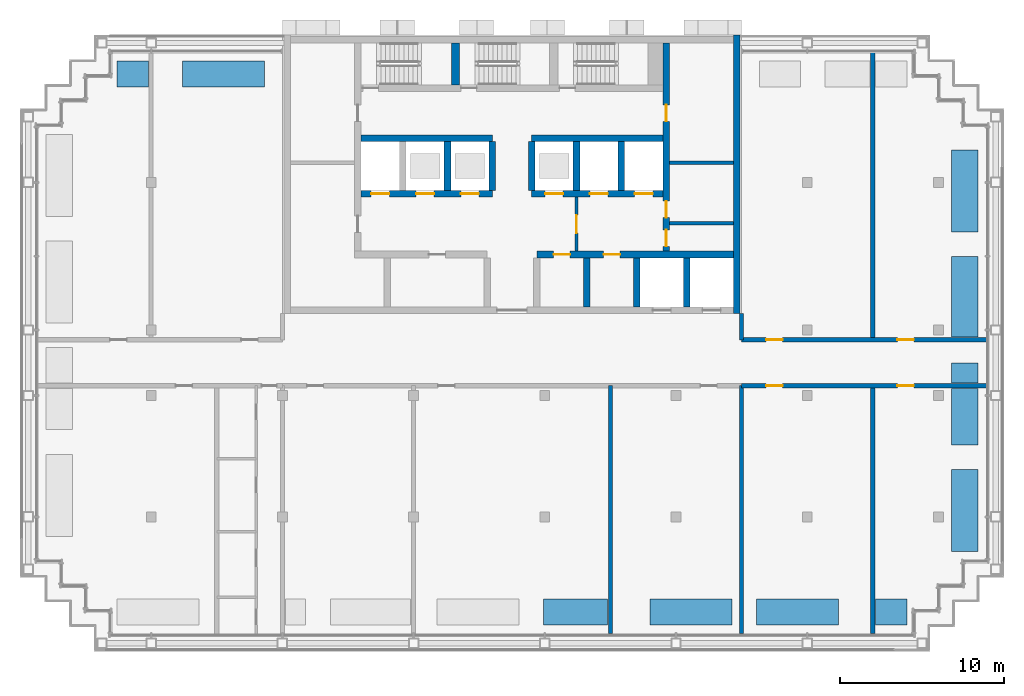
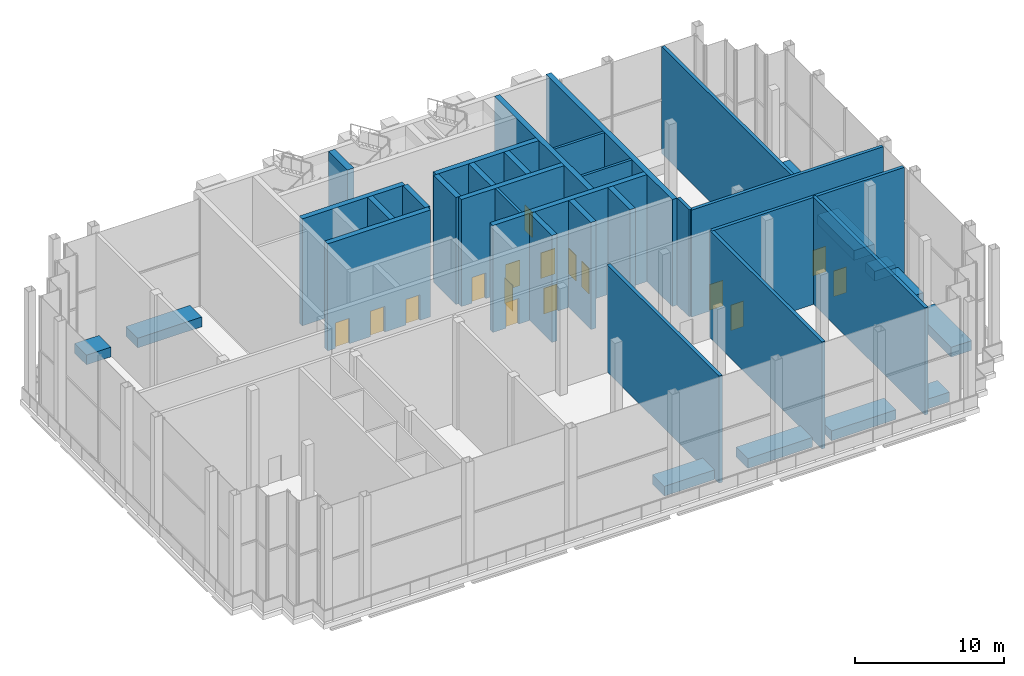
# One storey, part 9 of 15: 37 walls, 16 doors, 16 openings.
"""IFC4 building model written with IfcOpenShell, lengths in metres."""

from ifc_helpers import new_model, si_unit, direction, frame, frame_2d, origin, place, context, subcontext, project, spatial, rectangle, extrude, material, layer, layer_set, type_object, element, fill, save


model = new_model("IFC4")

# Units and contexts
model_context = context("Model", 3, precision=1e-05, world=origin(), true_north=direction((0.0, 1.0)))
body_context = subcontext(model_context, "Body", "Model", "MODEL_VIEW")
ifc_project = project(units=[si_unit("LENGTHUNIT", "METRE"), si_unit("AREAUNIT", "SQUARE_METRE"), si_unit("VOLUMEUNIT", "CUBIC_METRE"), si_unit("PLANEANGLEUNIT", "RADIAN"), si_unit("MASSUNIT", "GRAM", prefix="KILO")], contexts=[model_context])

# Site, building, storey
site_placement = place(None, origin())
site = spatial("IfcSite", under=ifc_project, at=site_placement, CompositionType="ELEMENT")
building_placement = place(site_placement, origin())
building = spatial("IfcBuilding", under=site, at=building_placement, Name="Vidyagriha Tower", CompositionType="ELEMENT")
storey_placement = place(building_placement, frame((0.0, 0.0, 239.60009765625)))
storey = spatial("IfcBuildingStorey", under=building, at=storey_placement, Name="L63", CompositionType="ELEMENT", Elevation=239.60009765625)

# Walls
ifc_material_1 = material(Name="Precast concrete C40/50 with brick facing", Category="concrete")
ifc_layer_1 = layer(ifc_material_1, 1.60009765625)
ifc_layer_set_1 = layer_set([ifc_layer_1], Name="Precast concrete C40/50 with brick facing")
wall_type_1 = type_object("IfcWallType", Name="Brick planter box 1600", PredefinedType="STANDARD", material=ifc_layer_set_1)
wall_1_placement = place(storey_placement, frame((-15.10009765625, 17.60009765625, 0.0), z_axis=(0.0, 0.0, 1.0), x_axis=(-1.0, 0.0, 0.0)))
element("IfcWall", 1, at=wall_1_placement, inside=storey, type_object=wall_type_1, Name="PLANTER L63 3", PredefinedType="STANDARD", context=body_context, shape_type="SweptSolid", body=[
    extrude(rectangle(XDim=5.0, YDim=1.60009765625, at=frame_2d((2.5, 0.0))), origin(), (0.0, 0.0, 1.0), 0.7998046875),
])
for number, where, name in (
    (2, (8.419921875, -15.199951171875, 0.0), "PLANTER L63 14"),
    (3, (14.919921875, -15.199951171875, 0.0), "PLANTER L63 15"),
):
    element("IfcWall", number, at=place(storey_placement, frame(where)), inside=storey, type_object=wall_type_1, Name=name, PredefinedType="STANDARD", context=body_context, shape_type="SweptSolid", body=[
        extrude(rectangle(XDim=5.0, YDim=1.60009765625, at=frame_2d((2.5, 0.0))), origin(), (0.0, 0.0, 1.0), 0.7998046875),
    ])
for number, where, z_axis, x_axis, name in (
    (4, (27.60009765625, -11.52001953125, 0.0), (0.0, 0.0, 1.0), (0.0, 1.0, 0.0), "PLANTER L63 17"),
    (5, (27.60009765625, 7.97998046875, 0.0), (0.0, 0.0, 1.0), (0.0, 1.0, 0.0), "PLANTER L63 20"),
):
    element("IfcWall", number, at=place(storey_placement, frame(where, z_axis=z_axis, x_axis=x_axis)), inside=storey, type_object=wall_type_1, Name=name, PredefinedType="STANDARD", context=body_context, shape_type="SweptSolid", body=[
        extrude(rectangle(XDim=5.0, YDim=1.60009765625, at=frame_2d((2.5, 0.0))), origin(), (0.0, 0.0, 1.0), 0.7998046875),
    ])
wall_2_placement = place(storey_placement, frame((-22.175048828125, 17.60009765625, 0.0), z_axis=(0.0, 0.0, 1.0), x_axis=(-1.0, 0.0, 0.0)))
element("IfcWall", 6, at=wall_2_placement, inside=storey, type_object=wall_type_1, Name="PLANTER L63 4", PredefinedType="STANDARD", context=body_context, shape_type="SweptSolid", body=[
    extrude(rectangle(XDim=1.905029296875, YDim=1.60009765625, at=frame_2d((0.95263671875, 0.0))), origin(), (0.0, 0.0, 1.0), 0.7998046875),
])
wall_3_placement = place(storey_placement, frame((1.919921875, -15.199951171875, 0.0)))
element("IfcWall", 7, at=wall_3_placement, inside=storey, type_object=wall_type_1, Name="PLANTER L63 13", PredefinedType="STANDARD", context=body_context, shape_type="SweptSolid", body=[
    extrude(rectangle(XDim=3.905029296875, YDim=1.60009765625, at=frame_2d((1.95263671875, 0.0))), origin(), (0.0, 0.0, 1.0), 0.7998046875),
])
wall_4_placement = place(storey_placement, frame((22.175048828125, -15.199951171875, 0.0)))
element("IfcWall", 8, at=wall_4_placement, inside=storey, type_object=wall_type_1, Name="PLANTER L63 16", PredefinedType="STANDARD", context=body_context, shape_type="SweptSolid", body=[
    extrude(rectangle(XDim=1.905029296875, YDim=1.60009765625, at=frame_2d((0.95263671875, 0.0))), origin(), (0.0, 0.0, 1.0), 0.7998046875),
])
wall_5_placement = place(storey_placement, frame((27.60009765625, -5.02001953125, 0.0), z_axis=(0.0, 0.0, 1.0), x_axis=(0.0, 1.0, 0.0)))
element("IfcWall", 9, at=wall_5_placement, inside=storey, type_object=wall_type_1, Name="PLANTER L63 18", PredefinedType="STANDARD", context=body_context, shape_type="SweptSolid", body=[
    extrude(rectangle(XDim=3.445068359375, YDim=1.60009765625, at=frame_2d((1.72265625, 0.0))), origin(), (0.0, 0.0, 1.0), 0.7998046875),
])
wall_6_placement = place(storey_placement, frame((27.60009765625, -1.22509765625, 0.0), z_axis=(0.0, 0.0, 1.0), x_axis=(0.0, 1.0, 0.0)))
element("IfcWall", 10, at=wall_6_placement, inside=storey, type_object=wall_type_1, Name="PLANTER L63 18", PredefinedType="STANDARD", context=body_context, shape_type="SweptSolid", body=[
    extrude(rectangle(XDim=1.205078125, YDim=1.60009765625, at=frame_2d((0.6025390625, 0.0))), origin(), (0.0, 0.0, 1.0), 0.7998046875),
])
wall_7_placement = place(storey_placement, frame((27.60009765625, 1.574951171875, 0.0), z_axis=(0.0, 0.0, 1.0), x_axis=(0.0, 1.0, 0.0)))
element("IfcWall", 11, at=wall_7_placement, inside=storey, type_object=wall_type_1, Name="PLANTER L63 19", PredefinedType="STANDARD", context=body_context, shape_type="SweptSolid", body=[
    extrude(rectangle(XDim=4.905029296875, YDim=1.60009765625, at=frame_2d((2.45263671875, 0.0))), origin(), (0.0, 0.0, 1.0), 0.7998046875),
])
ifc_material_2 = material(Name="Concrete C60/75", Category="concrete")
ifc_layer_2 = layer(ifc_material_2, 0.39990234375)
ifc_layer_set_2 = layer_set([ifc_layer_2], Name="Concrete C60/75")
wall_type_2 = type_object("IfcWallType", Name="Core shear wall 400 mm", PredefinedType="SHEAR", material=ifc_layer_set_2)
wall_8_placement = place(storey_placement, frame((13.699951171875, 3.0, 0.0), z_axis=(0.0, 0.0, 1.0), x_axis=(0.0, 1.0, 0.0)))
element("IfcWall", 12, at=wall_8_placement, inside=storey, type_object=wall_type_2, Name="Core east wall", PredefinedType="SHEAR", context=body_context, shape_type="SweptSolid", body=[
    extrude(rectangle(XDim=17.0, YDim=0.39990234375, at=frame_2d((8.5, 0.0))), origin(), (0.0, 0.0, 1.0), 8.7998046875),
])

# Wall, openings, doors
wall_9_placement = place(storey_placement, frame((9.39990234375, 6.800048828125, 0.0), z_axis=(0.0, 0.0, 1.0), x_axis=(0.0, 1.0, 0.0)))
wall_9 = element("IfcWall", 13, at=wall_9_placement, inside=storey, type_object=wall_type_2, Name="Core east spine wall", PredefinedType="SHEAR", context=body_context, shape_type="SweptSolid", body=[
    extrude(rectangle(XDim=12.699951171875, YDim=0.39990234375, at=frame_2d((6.35009765625, 0.0))), origin(), (0.0, 0.0, 1.0), 8.7998046875),
])
opening_1_placement = place(wall_9_placement, frame((0.300048828125, 0.0, 0.0)))
opening_1 = element("IfcOpeningElement", 14, at=opening_1_placement, cuts=wall_9, Name="Opening D63-11", PredefinedType="OPENING", context=body_context, shape_type="SweptSolid", body=[
    extrude(rectangle(XDim=1.0, YDim=2.10009765625, at=frame_2d((0.5, 1.050048828125))), frame((0.0, 0.2099609375, 0.0), z_axis=(0.0, -1.0, 0.0), x_axis=(1.0, 0.0, 0.0)), (0.0, 0.0, 1.0), 0.419921875),
])
opening_2_placement = place(wall_9_placement, frame((2.050048828125, 0.0, 0.0)))
opening_2 = element("IfcOpeningElement", 15, at=opening_2_placement, cuts=wall_9, Name="Opening D63-12", PredefinedType="OPENING", context=body_context, shape_type="SweptSolid", body=[
    extrude(rectangle(XDim=1.0, YDim=2.10009765625, at=frame_2d((0.5, 1.050048828125))), frame((0.0, 0.2099609375, 0.0), z_axis=(0.0, -1.0, 0.0), x_axis=(1.0, 0.0, 0.0)), (0.0, 0.0, 1.0), 0.419921875),
])
opening_3_placement = place(wall_9_placement, frame((7.925048828125, 0.0, 0.0)))
opening_3 = element("IfcOpeningElement", 16, at=opening_3_placement, cuts=wall_9, Name="Opening D63-13", PredefinedType="OPENING", context=body_context, shape_type="SweptSolid", body=[
    extrude(rectangle(XDim=1.0, YDim=2.10009765625, at=frame_2d((0.5, 1.050048828125))), frame((0.0, 0.2099609375, 0.0), z_axis=(0.0, -1.0, 0.0), x_axis=(1.0, 0.0, 0.0)), (0.0, 0.0, 1.0), 0.419921875),
])
ifc_material_3 = material(Name="Hollow metal door leaf")
door_type_1 = type_object("IfcDoorType", Name="Core room door 1000 x 2100 mm EI 60", OperationType="NOTDEFINED", PredefinedType="DOOR", material=ifc_material_3)
door_1_placement = place(opening_1_placement, origin())
door_1 = element("IfcDoor", 17, at=door_1_placement, inside=storey, type_object=door_type_1, Name="Door Pressurisation Plant Room 63.E1", OperationType="SINGLE_SWING_RIGHT", OverallHeight=2.10009765625, OverallWidth=1.0, PredefinedType="DOOR", context=body_context, shape_type="SweptSolid", body=[
    extrude(rectangle(XDim=1.0, YDim=2.10009765625, at=frame_2d((0.5, 1.050048828125))), frame((0.0, 0.02490234375, 0.0), z_axis=(0.0, -1.0, 0.0), x_axis=(1.0, 0.0, 0.0)), (0.0, 0.0, 1.0), 0.050048828125),
])
fill(opening_1, door_1)
door_2_placement = place(opening_2_placement, origin())
door_2 = element("IfcDoor", 18, at=door_2_placement, inside=storey, type_object=door_type_1, Name="Door Switchgear Room 63.E2", OperationType="SINGLE_SWING_LEFT", OverallHeight=2.10009765625, OverallWidth=1.0, PredefinedType="DOOR", context=body_context, shape_type="SweptSolid", body=[
    extrude(rectangle(XDim=1.0, YDim=2.10009765625, at=frame_2d((0.5, 1.050048828125))), frame((0.0, 0.02490234375, 0.0), z_axis=(0.0, -1.0, 0.0), x_axis=(1.0, 0.0, 0.0)), (0.0, 0.0, 1.0), 0.050048828125),
])
fill(opening_2, door_2)
door_3_placement = place(opening_3_placement, origin())
door_3 = element("IfcDoor", 19, at=door_3_placement, inside=storey, type_object=door_type_1, Name="Door Communications Room 63.E3", OperationType="SINGLE_SWING_LEFT", OverallHeight=2.10009765625, OverallWidth=1.0, PredefinedType="DOOR", context=body_context, shape_type="SweptSolid", body=[
    extrude(rectangle(XDim=1.0, YDim=2.10009765625, at=frame_2d((0.5, 1.050048828125))), frame((0.0, 0.02490234375, 0.0), z_axis=(0.0, -1.0, 0.0), x_axis=(1.0, 0.0, 0.0)), (0.0, 0.0, 1.0), 0.050048828125),
])
fill(opening_3, door_3)

wall_10_placement = place(storey_placement, frame((1.522216796875, 6.60009765625, 0.0)))
wall_10 = element("IfcWall", 20, at=wall_10_placement, inside=storey, type_object=wall_type_2, Name="Core lobby south wall east", PredefinedType="SHEAR", context=body_context, shape_type="SweptSolid", body=[
    extrude(rectangle(XDim=11.977783203125, YDim=0.39990234375, at=frame_2d((5.98876953125, 0.0))), origin(), (0.0, 0.0, 1.0), 8.7998046875),
])
opening_4_placement = place(wall_10_placement, frame((1.022216796875, 0.0, 0.0)))
opening_4 = element("IfcOpeningElement", 21, at=opening_4_placement, cuts=wall_10, Name="Opening D63-03", PredefinedType="OPENING", context=body_context, shape_type="SweptSolid", body=[
    extrude(rectangle(XDim=1.0, YDim=2.10009765625, at=frame_2d((0.5, 1.050048828125))), frame((0.0, 0.2099609375, 0.0), z_axis=(0.0, -1.0, 0.0), x_axis=(1.0, 0.0, 0.0)), (0.0, 0.0, 1.0), 0.419921875),
])
opening_5_placement = place(wall_10_placement, frame((4.066650390625, 0.0, 0.0)))
opening_5 = element("IfcOpeningElement", 22, at=opening_5_placement, cuts=wall_10, Name="Opening D63-04", PredefinedType="OPENING", context=body_context, shape_type="SweptSolid", body=[
    extrude(rectangle(XDim=1.0, YDim=2.10009765625, at=frame_2d((0.5, 1.050048828125))), frame((0.0, 0.2099609375, 0.0), z_axis=(0.0, -1.0, 0.0), x_axis=(1.0, 0.0, 0.0)), (0.0, 0.0, 1.0), 0.419921875),
])
door_4_placement = place(opening_4_placement, origin())
door_4 = element("IfcDoor", 23, at=door_4_placement, inside=storey, type_object=door_type_1, Name="Door Refuse Room 63.02", OperationType="SINGLE_SWING_RIGHT", OverallHeight=2.10009765625, OverallWidth=1.0, PredefinedType="DOOR", context=body_context, shape_type="SweptSolid", body=[
    extrude(rectangle(XDim=1.0, YDim=2.10009765625, at=frame_2d((0.5, 1.050048828125))), frame((0.0, 0.02490234375, 0.0), z_axis=(0.0, -1.0, 0.0), x_axis=(1.0, 0.0, 0.0)), (0.0, 0.0, 1.0), 0.050048828125),
])
fill(opening_4, door_4)
door_5_placement = place(opening_5_placement, origin())
door_5 = element("IfcDoor", 24, at=door_5_placement, inside=storey, type_object=door_type_1, Name="Door Pressurisation Plant Room 63.03", OperationType="SINGLE_SWING_RIGHT", OverallHeight=2.10009765625, OverallWidth=1.0, PredefinedType="DOOR", context=body_context, shape_type="SweptSolid", body=[
    extrude(rectangle(XDim=1.0, YDim=2.10009765625, at=frame_2d((0.5, 1.050048828125))), frame((0.0, 0.02490234375, 0.0), z_axis=(0.0, -1.0, 0.0), x_axis=(1.0, 0.0, 0.0)), (0.0, 0.0, 1.0), 0.050048828125),
])
fill(opening_5, door_5)

# Walls
for number, where, z_axis, x_axis, name in (
    (25, (4.566650390625, 3.39990234375, 0.0), (0.0, 0.0, 1.0), (0.0, 1.0, 0.0), "Core bay wall S6"),
    (26, (7.611083984375, 3.39990234375, 0.0), (0.0, 0.0, 1.0), (0.0, 1.0, 0.0), "Core bay wall S7"),
    (27, (10.655517578125, 3.39990234375, 0.0), (0.0, 0.0, 1.0), (0.0, 1.0, 0.0), "Core bay wall S8"),
):
    element("IfcWall", number, at=place(storey_placement, frame(where, z_axis=z_axis, x_axis=x_axis)), inside=storey, type_object=wall_type_2, Name=name, PredefinedType="SHEAR", context=body_context, shape_type="SweptSolid", body=[
        extrude(rectangle(XDim=3.0, YDim=0.39990234375, at=frame_2d((1.5, 0.0))), origin(), (0.0, 0.0, 1.0), 8.7998046875),
    ])

# Wall, openings, doors
wall_11_placement = place(storey_placement, frame((-9.199951171875, 10.300048828125, 0.0)))
wall_11 = element("IfcWall", 28, at=wall_11_placement, inside=storey, type_object=wall_type_2, Name="Core row N front wall", PredefinedType="SHEAR", context=body_context, shape_type="SweptSolid", body=[
    extrude(rectangle(XDim=8.0, YDim=0.39990234375, at=frame_2d((4.0, 0.0))), origin(), (0.0, 0.0, 1.0), 8.7998046875),
])
opening_6_placement = place(wall_11_placement, frame((0.61669921875, 0.0, 0.0)))
opening_6 = element("IfcOpeningElement", 29, at=opening_6_placement, cuts=wall_11, Name="Opening LD63-03", PredefinedType="OPENING", context=body_context, shape_type="SweptSolid", body=[
    extrude(rectangle(XDim=1.10009765625, YDim=2.10009765625, at=frame_2d((0.550048828125, 1.050048828125))), frame((0.0, 0.2099609375, 0.0), z_axis=(0.0, -1.0, 0.0), x_axis=(1.0, 0.0, 0.0)), (0.0, 0.0, 1.0), 0.419921875),
])
opening_7_placement = place(wall_11_placement, frame((3.35009765625, 0.0, 0.0)))
opening_7 = element("IfcOpeningElement", 30, at=opening_7_placement, cuts=wall_11, Name="Opening LD63-04", PredefinedType="OPENING", context=body_context, shape_type="SweptSolid", body=[
    extrude(rectangle(XDim=1.10009765625, YDim=2.10009765625, at=frame_2d((0.550048828125, 1.050048828125))), frame((0.0, 0.2099609375, 0.0), z_axis=(0.0, -1.0, 0.0), x_axis=(1.0, 0.0, 0.0)), (0.0, 0.0, 1.0), 0.419921875),
])
opening_8_placement = place(wall_11_placement, frame((6.083251953125, 0.0, 0.0)))
opening_8 = element("IfcOpeningElement", 31, at=opening_8_placement, cuts=wall_11, Name="Opening LD63-05", PredefinedType="OPENING", context=body_context, shape_type="SweptSolid", body=[
    extrude(rectangle(XDim=1.10009765625, YDim=2.10009765625, at=frame_2d((0.550048828125, 1.050048828125))), frame((0.0, 0.2099609375, 0.0), z_axis=(0.0, -1.0, 0.0), x_axis=(1.0, 0.0, 0.0)), (0.0, 0.0, 1.0), 0.419921875),
])
ifc_material_4 = material(Name="Stainless steel sliding door panel", Category="steel")
door_type_2 = type_object("IfcDoorType", Name="Lift landing door 1100 x 2100 mm EI 90", OperationType="NOTDEFINED", PredefinedType="DOOR", material=ifc_material_4)
door_6_placement = place(opening_6_placement, origin())
door_6 = element("IfcDoor", 32, at=door_6_placement, inside=storey, type_object=door_type_2, Name="Landing door MR3 L63", OperationType="SLIDING_TO_LEFT", OverallHeight=2.10009765625, OverallWidth=1.10009765625, PredefinedType="DOOR", context=body_context, shape_type="SweptSolid", body=[
    extrude(rectangle(XDim=1.10009765625, YDim=2.10009765625, at=frame_2d((0.550048828125, 1.050048828125))), frame((0.0, 0.02490234375, 0.0), z_axis=(0.0, -1.0, 0.0), x_axis=(1.0, 0.0, 0.0)), (0.0, 0.0, 1.0), 0.050048828125),
])
fill(opening_6, door_6)
door_7_placement = place(opening_7_placement, origin())
door_7 = element("IfcDoor", 33, at=door_7_placement, inside=storey, type_object=door_type_2, Name="Landing door HR1 L63", OperationType="SLIDING_TO_LEFT", OverallHeight=2.10009765625, OverallWidth=1.10009765625, PredefinedType="DOOR", context=body_context, shape_type="SweptSolid", body=[
    extrude(rectangle(XDim=1.10009765625, YDim=2.10009765625, at=frame_2d((0.550048828125, 1.050048828125))), frame((0.0, 0.02490234375, 0.0), z_axis=(0.0, -1.0, 0.0), x_axis=(1.0, 0.0, 0.0)), (0.0, 0.0, 1.0), 0.050048828125),
])
fill(opening_7, door_7)
door_8_placement = place(opening_8_placement, origin())
door_8 = element("IfcDoor", 34, at=door_8_placement, inside=storey, type_object=door_type_2, Name="Landing door HR2 L63", OperationType="SLIDING_TO_LEFT", OverallHeight=2.10009765625, OverallWidth=1.10009765625, PredefinedType="DOOR", context=body_context, shape_type="SweptSolid", body=[
    extrude(rectangle(XDim=1.10009765625, YDim=2.10009765625, at=frame_2d((0.550048828125, 1.050048828125))), frame((0.0, 0.02490234375, 0.0), z_axis=(0.0, -1.0, 0.0), x_axis=(1.0, 0.0, 0.0)), (0.0, 0.0, 1.0), 0.050048828125),
])
fill(opening_8, door_8)

# Wall
wall_12_placement = place(storey_placement, frame((-9.199951171875, 13.699951171875, 0.0)))
element("IfcWall", 35, at=wall_12_placement, inside=storey, type_object=wall_type_2, Name="Core row N rear wall", PredefinedType="SHEAR", context=body_context, shape_type="SweptSolid", body=[
    extrude(rectangle(XDim=8.0, YDim=0.39990234375, at=frame_2d((4.0, 0.0))), origin(), (0.0, 0.0, 1.0), 8.7998046875),
])

# Wall, openings, doors
wall_13_placement = place(storey_placement, frame((1.199951171875, 10.300048828125, 0.0)))
wall_13 = element("IfcWall", 36, at=wall_13_placement, inside=storey, type_object=wall_type_2, Name="Core row N front wall", PredefinedType="SHEAR", context=body_context, shape_type="SweptSolid", body=[
    extrude(rectangle(XDim=8.0, YDim=0.39990234375, at=frame_2d((4.0, 0.0))), origin(), (0.0, 0.0, 1.0), 8.7998046875),
])
opening_9_placement = place(wall_13_placement, frame((0.816650390625, 0.0, 0.0)))
opening_9 = element("IfcOpeningElement", 37, at=opening_9_placement, cuts=wall_13, Name="Opening LD63-06", PredefinedType="OPENING", context=body_context, shape_type="SweptSolid", body=[
    extrude(rectangle(XDim=1.10009765625, YDim=2.10009765625, at=frame_2d((0.550048828125, 1.050048828125))), frame((0.0, 0.2099609375, 0.0), z_axis=(0.0, -1.0, 0.0), x_axis=(1.0, 0.0, 0.0)), (0.0, 0.0, 1.0), 0.419921875),
])
opening_10_placement = place(wall_13_placement, frame((3.550048828125, 0.0, 0.0)))
opening_10 = element("IfcOpeningElement", 38, at=opening_10_placement, cuts=wall_13, Name="Opening LD63-07", PredefinedType="OPENING", context=body_context, shape_type="SweptSolid", body=[
    extrude(rectangle(XDim=1.10009765625, YDim=2.10009765625, at=frame_2d((0.550048828125, 1.050048828125))), frame((0.0, 0.2099609375, 0.0), z_axis=(0.0, -1.0, 0.0), x_axis=(1.0, 0.0, 0.0)), (0.0, 0.0, 1.0), 0.419921875),
])
opening_11_placement = place(wall_13_placement, frame((6.283203125, 0.0, 0.0)))
opening_11 = element("IfcOpeningElement", 39, at=opening_11_placement, cuts=wall_13, Name="Opening LD63-08", PredefinedType="OPENING", context=body_context, shape_type="SweptSolid", body=[
    extrude(rectangle(XDim=1.10009765625, YDim=2.10009765625, at=frame_2d((0.550048828125, 1.050048828125))), frame((0.0, 0.2099609375, 0.0), z_axis=(0.0, -1.0, 0.0), x_axis=(1.0, 0.0, 0.0)), (0.0, 0.0, 1.0), 0.419921875),
])
door_9_placement = place(opening_9_placement, origin())
door_9 = element("IfcDoor", 40, at=door_9_placement, inside=storey, type_object=door_type_2, Name="Landing door HR3 L63", OperationType="SLIDING_TO_LEFT", OverallHeight=2.10009765625, OverallWidth=1.10009765625, PredefinedType="DOOR", context=body_context, shape_type="SweptSolid", body=[
    extrude(rectangle(XDim=1.10009765625, YDim=2.10009765625, at=frame_2d((0.550048828125, 1.050048828125))), frame((0.0, 0.02490234375, 0.0), z_axis=(0.0, -1.0, 0.0), x_axis=(1.0, 0.0, 0.0)), (0.0, 0.0, 1.0), 0.050048828125),
])
fill(opening_9, door_9)
door_10_placement = place(opening_10_placement, origin())
door_10 = element("IfcDoor", 41, at=door_10_placement, inside=storey, type_object=door_type_2, Name="Landing door FF1 L63", OperationType="SLIDING_TO_LEFT", OverallHeight=2.10009765625, OverallWidth=1.10009765625, PredefinedType="DOOR", context=body_context, shape_type="SweptSolid", body=[
    extrude(rectangle(XDim=1.10009765625, YDim=2.10009765625, at=frame_2d((0.550048828125, 1.050048828125))), frame((0.0, 0.02490234375, 0.0), z_axis=(0.0, -1.0, 0.0), x_axis=(1.0, 0.0, 0.0)), (0.0, 0.0, 1.0), 0.050048828125),
])
fill(opening_10, door_10)
door_11_placement = place(opening_11_placement, origin())
door_11 = element("IfcDoor", 42, at=door_11_placement, inside=storey, type_object=door_type_2, Name="Landing door FF2 L63", OperationType="SLIDING_TO_LEFT", OverallHeight=2.10009765625, OverallWidth=1.10009765625, PredefinedType="DOOR", context=body_context, shape_type="SweptSolid", body=[
    extrude(rectangle(XDim=1.10009765625, YDim=2.10009765625, at=frame_2d((0.550048828125, 1.050048828125))), frame((0.0, 0.02490234375, 0.0), z_axis=(0.0, -1.0, 0.0), x_axis=(1.0, 0.0, 0.0)), (0.0, 0.0, 1.0), 0.050048828125),
])
fill(opening_11, door_11)

# Walls
wall_14_placement = place(storey_placement, frame((1.199951171875, 13.699951171875, 0.0)))
element("IfcWall", 43, at=wall_14_placement, inside=storey, type_object=wall_type_2, Name="Core row N rear wall", PredefinedType="SHEAR", context=body_context, shape_type="SweptSolid", body=[
    extrude(rectangle(XDim=8.0, YDim=0.39990234375, at=frame_2d((4.0, 0.0))), origin(), (0.0, 0.0, 1.0), 8.7998046875),
])
for number, where, z_axis, x_axis, name in (
    (44, (-3.933349609375, 10.5, 0.0), (0.0, 0.0, 1.0), (0.0, 1.0, 0.0), "Core bay wall N2"),
    (45, (-1.199951171875, 10.5, 0.0), (0.0, 0.0, 1.0), (0.0, 1.0, 0.0), "Core bay wall N3"),
    (46, (1.199951171875, 10.5, 0.0), (0.0, 0.0, 1.0), (0.0, 1.0, 0.0), "Core bay wall N4"),
    (47, (3.933349609375, 10.5, 0.0), (0.0, 0.0, 1.0), (0.0, 1.0, 0.0), "Core bay wall N5"),
    (48, (6.666748046875, 10.5, 0.0), (0.0, 0.0, 1.0), (0.0, 1.0, 0.0), "Core bay wall N6"),
):
    element("IfcWall", number, at=place(storey_placement, frame(where, z_axis=z_axis, x_axis=x_axis)), inside=storey, type_object=wall_type_2, Name=name, PredefinedType="SHEAR", context=body_context, shape_type="SweptSolid", body=[
        extrude(rectangle(XDim=3.0, YDim=0.39990234375, at=frame_2d((1.5, 0.0))), origin(), (0.0, 0.0, 1.0), 8.7998046875),
    ])
ifc_material_5 = material(Name="Concrete C60/75", Category="concrete")
ifc_layer_3 = layer(ifc_material_5, 0.5)
ifc_layer_set_3 = layer_set([ifc_layer_3], Name="Concrete C60/75")
wall_type_3 = type_object("IfcWallType", Name="Core shear wall 500 mm", PredefinedType="SHEAR", material=ifc_layer_set_3)
wall_15_placement = place(storey_placement, frame((-3.449951171875, 16.949951171875, 0.0), z_axis=(0.0, 0.0, 1.0), x_axis=(0.0, 1.0, 0.0)))
element("IfcWall", 49, at=wall_15_placement, inside=storey, type_object=wall_type_3, Name="Stair partition wall 1", PredefinedType="SHEAR", context=body_context, shape_type="SweptSolid", body=[
    extrude(rectangle(XDim=2.550048828125, YDim=0.5, at=frame_2d((1.27490234375, 0.0))), origin(), (0.0, 0.0, 1.0), 8.7998046875),
])

# Wall, openings, doors
ifc_material_6 = material(Name="Fired clay brick masonry", Category="masonry")
ifc_layer_4 = layer(ifc_material_6, 0.25)
ifc_layer_set_4 = layer_set([ifc_layer_4], Name="Fired clay brick masonry")
wall_type_4 = type_object("IfcWallType", Name="Fired clay brick corridor wall 250", PredefinedType="PARTITIONING", material=ifc_layer_set_4)
wall_16_placement = place(storey_placement, frame((28.929931640625, -1.39990234375, 0.0), z_axis=(0.0, 0.0, 1.0), x_axis=(-1.0, 0.0, 0.0)))
wall_16 = element("IfcWall", 50, at=wall_16_placement, inside=storey, type_object=wall_type_4, Name="Wall all-L63-w021", PredefinedType="PARTITIONING", context=body_context, shape_type="SweptSolid", body=[
    extrude(rectangle(XDim=14.929931640625, YDim=0.25, at=frame_2d((7.46484375, 0.0))), origin(), (0.0, 0.0, 1.0), 8.7998046875),
])
opening_12_placement = place(wall_16_placement, frame((12.429931640625, 0.0, 0.0)))
opening_12 = element("IfcOpeningElement", 51, at=opening_12_placement, cuts=wall_16, Name="Opening D63-22", PredefinedType="OPENING", context=body_context, shape_type="SweptSolid", body=[
    extrude(rectangle(XDim=1.0, YDim=2.10009765625, at=frame_2d((0.5, 1.050048828125))), frame((0.0, 0.135009765625, 0.0), z_axis=(0.0, -1.0, 0.0), x_axis=(1.0, 0.0, 0.0)), (0.0, 0.0, 1.0), 0.27001953125),
])
opening_13_placement = place(wall_16_placement, frame((4.429931640625, 0.0, 0.0)))
opening_13 = element("IfcOpeningElement", 52, at=opening_13_placement, cuts=wall_16, Name="Opening D63-23", PredefinedType="OPENING", context=body_context, shape_type="SweptSolid", body=[
    extrude(rectangle(XDim=1.0, YDim=2.10009765625, at=frame_2d((0.5, 1.050048828125))), frame((0.0, 0.135009765625, 0.0), z_axis=(0.0, -1.0, 0.0), x_axis=(1.0, 0.0, 0.0)), (0.0, 0.0, 1.0), 0.27001953125),
])
ifc_material_7 = material(Name="Fire-rated timber door leaf EI 60", Category="wood")
door_type_3 = type_object("IfcDoorType", Name="Flat entrance fire door 1000x2100", OperationType="NOTDEFINED", PredefinedType="DOOR", material=ifc_material_7)
door_12_placement = place(opening_12_placement, origin())
door_12 = element("IfcDoor", 53, at=door_12_placement, inside=storey, type_object=door_type_3, Name="Door D63-22", OperationType="SINGLE_SWING_RIGHT", OverallHeight=2.10009765625, OverallWidth=1.0, PredefinedType="DOOR", context=body_context, shape_type="SweptSolid", body=[
    extrude(rectangle(XDim=1.0, YDim=2.10009765625, at=frame_2d((0.5, 1.050048828125))), frame((0.0, 0.02490234375, 0.0), z_axis=(0.0, -1.0, 0.0), x_axis=(1.0, 0.0, 0.0)), (0.0, 0.0, 1.0), 0.050048828125),
])
fill(opening_12, door_12)
door_13_placement = place(opening_13_placement, origin())
door_13 = element("IfcDoor", 54, at=door_13_placement, inside=storey, type_object=door_type_3, Name="Door D63-23", OperationType="SINGLE_SWING_RIGHT", OverallHeight=2.10009765625, OverallWidth=1.0, PredefinedType="DOOR", context=body_context, shape_type="SweptSolid", body=[
    extrude(rectangle(XDim=1.0, YDim=2.10009765625, at=frame_2d((0.5, 1.050048828125))), frame((0.0, 0.02490234375, 0.0), z_axis=(0.0, -1.0, 0.0), x_axis=(1.0, 0.0, 0.0)), (0.0, 0.0, 1.0), 0.050048828125),
])
fill(opening_13, door_13)

wall_17_placement = place(storey_placement, frame((14.0, 1.39990234375, 0.0)))
wall_17 = element("IfcWall", 55, at=wall_17_placement, inside=storey, type_object=wall_type_4, Name="Wall all-L63-w028", PredefinedType="PARTITIONING", context=body_context, shape_type="SweptSolid", body=[
    extrude(rectangle(XDim=14.929931640625, YDim=0.25, at=frame_2d((7.46484375, 0.0))), origin(), (0.0, 0.0, 1.0), 8.7998046875),
])
opening_14_placement = place(wall_17_placement, frame((1.5, 0.0, 0.0)))
opening_14 = element("IfcOpeningElement", 56, at=opening_14_placement, cuts=wall_17, Name="Opening D63-24", PredefinedType="OPENING", context=body_context, shape_type="SweptSolid", body=[
    extrude(rectangle(XDim=1.0, YDim=2.10009765625, at=frame_2d((0.5, 1.050048828125))), frame((0.0, 0.135009765625, 0.0), z_axis=(0.0, -1.0, 0.0), x_axis=(1.0, 0.0, 0.0)), (0.0, 0.0, 1.0), 0.27001953125),
])
opening_15_placement = place(wall_17_placement, frame((9.5, 0.0, 0.0)))
opening_15 = element("IfcOpeningElement", 57, at=opening_15_placement, cuts=wall_17, Name="Opening D63-25", PredefinedType="OPENING", context=body_context, shape_type="SweptSolid", body=[
    extrude(rectangle(XDim=1.0, YDim=2.10009765625, at=frame_2d((0.5, 1.050048828125))), frame((0.0, 0.135009765625, 0.0), z_axis=(0.0, -1.0, 0.0), x_axis=(1.0, 0.0, 0.0)), (0.0, 0.0, 1.0), 0.27001953125),
])
door_14_placement = place(opening_14_placement, origin())
door_14 = element("IfcDoor", 58, at=door_14_placement, inside=storey, type_object=door_type_3, Name="Door D63-24", OperationType="SINGLE_SWING_LEFT", OverallHeight=2.10009765625, OverallWidth=1.0, PredefinedType="DOOR", context=body_context, shape_type="SweptSolid", body=[
    extrude(rectangle(XDim=1.0, YDim=2.10009765625, at=frame_2d((0.5, 1.050048828125))), frame((0.0, 0.02490234375, 0.0), z_axis=(0.0, -1.0, 0.0), x_axis=(1.0, 0.0, 0.0)), (0.0, 0.0, 1.0), 0.050048828125),
])
fill(opening_14, door_14)
door_15_placement = place(opening_15_placement, origin())
door_15 = element("IfcDoor", 59, at=door_15_placement, inside=storey, type_object=door_type_3, Name="Door D63-25", OperationType="SINGLE_SWING_LEFT", OverallHeight=2.10009765625, OverallWidth=1.0, PredefinedType="DOOR", context=body_context, shape_type="SweptSolid", body=[
    extrude(rectangle(XDim=1.0, YDim=2.10009765625, at=frame_2d((0.5, 1.050048828125))), frame((0.0, 0.02490234375, 0.0), z_axis=(0.0, -1.0, 0.0), x_axis=(1.0, 0.0, 0.0)), (0.0, 0.0, 1.0), 0.050048828125),
])
fill(opening_15, door_15)

# Walls
wall_18_placement = place(storey_placement, frame((14.0, 1.39990234375, 0.0), z_axis=(0.0, 0.0, 1.0), x_axis=(0.0, 1.0, 0.0)))
element("IfcWall", 60, at=wall_18_placement, inside=storey, type_object=wall_type_4, Name="Wall all-L63-w040", PredefinedType="PARTITIONING", context=body_context, shape_type="SweptSolid", body=[
    extrude(rectangle(XDim=1.60009765625, YDim=0.25, at=frame_2d((0.800048828125, 0.0))), origin(), (0.0, 0.0, 1.0), 8.7998046875),
])
ifc_material_8 = material(Name="Fired clay brick masonry", Category="masonry")
ifc_layer_5 = layer(ifc_material_8, 0.25)
ifc_layer_set_5 = layer_set([ifc_layer_5], Name="Fired clay brick masonry")
wall_type_5 = type_object("IfcWallType", Name="Fired clay brick demising wall 250", PredefinedType="PARTITIONING", material=ifc_layer_set_5)
for number, where, z_axis, x_axis, name in (
    (61, (14.0, -1.39990234375, 0.0), (0.0, 0.0, 1.0), (0.0, -1.0, 0.0), "Wall all-L63-w026"),
    (62, (22.0, -1.39990234375, 0.0), (0.0, 0.0, 1.0), (0.0, -1.0, 0.0), "Wall all-L63-w027"),
):
    element("IfcWall", number, at=place(storey_placement, frame(where, z_axis=z_axis, x_axis=x_axis)), inside=storey, type_object=wall_type_5, Name=name, PredefinedType="PARTITIONING", context=body_context, shape_type="SweptSolid", body=[
        extrude(rectangle(XDim=15.12109375, YDim=0.25, at=frame_2d((7.560546875, 0.0))), origin(), (0.0, 0.0, 1.0), 8.7998046875),
    ])
wall_19_placement = place(storey_placement, frame((22.0, 18.9208984375, 0.0), z_axis=(0.0, 0.0, 1.0), x_axis=(0.0, -1.0, 0.0)))
element("IfcWall", 63, at=wall_19_placement, inside=storey, type_object=wall_type_5, Name="Wall all-L63-w032", PredefinedType="PARTITIONING", context=body_context, shape_type="SweptSolid", body=[
    extrude(rectangle(XDim=17.52099609375, YDim=0.25, at=frame_2d((8.760498046875, 0.0))), origin(), (0.0, 0.0, 1.0), 8.7998046875),
])
wall_20_placement = place(storey_placement, frame((6.0, -1.39990234375, 0.0), z_axis=(0.0, 0.0, 1.0), x_axis=(0.0, -1.0, 0.0)))
element("IfcWall", 64, at=wall_20_placement, inside=storey, type_object=wall_type_5, Name="Wall all-L63-w037", PredefinedType="PARTITIONING", context=body_context, shape_type="SweptSolid", body=[
    extrude(rectangle(XDim=15.12109375, YDim=0.25, at=frame_2d((7.560546875, 0.0))), origin(), (0.0, 0.0, 1.0), 8.7998046875),
])

# Wall, opening, door
ifc_material_9 = material(Name="Blockwork 15 MPa", Category="masonry")
ifc_layer_6 = layer(ifc_material_9, 0.199951171875)
ifc_layer_set_6 = layer_set([ifc_layer_6], Name="Blockwork 15 MPa")
wall_type_6 = type_object("IfcWallType", Name="Service room partition 200 mm", PredefinedType="PARTITIONING", material=ifc_layer_set_6)
wall_21_placement = place(storey_placement, frame((3.933349609375, 6.800048828125, 0.0), z_axis=(0.0, 0.0, 1.0), x_axis=(0.0, 1.0, 0.0)))
wall_21 = element("IfcWall", 65, at=wall_21_placement, inside=storey, type_object=wall_type_6, Name="Fire-fighting lobby west wall", PredefinedType="PARTITIONING", context=body_context, shape_type="SweptSolid", body=[
    extrude(rectangle(XDim=3.300048828125, YDim=0.199951171875, at=frame_2d((1.64990234375, 0.0))), origin(), (0.0, 0.0, 1.0), 8.7998046875),
])
opening_16_placement = place(wall_21_placement, frame((1.10009765625, 0.0, 0.0)))
opening_16 = element("IfcOpeningElement", 66, at=opening_16_placement, cuts=wall_21, Name="Opening D63-05", PredefinedType="OPENING", context=body_context, shape_type="SweptSolid", body=[
    extrude(rectangle(XDim=1.10009765625, YDim=2.10009765625, at=frame_2d((0.550048828125, 1.050048828125))), frame((0.0, 0.10986328125, 0.0), z_axis=(0.0, -1.0, 0.0), x_axis=(1.0, 0.0, 0.0)), (0.0, 0.0, 1.0), 0.219970703125),
])
ifc_material_10 = material(Name="Hollow metal door leaf")
door_type_4 = type_object("IfcDoorType", Name="Fire-fighting lobby door 1100 x 2100 mm EI 90", OperationType="NOTDEFINED", PredefinedType="DOOR", material=ifc_material_10)
door_16_placement = place(opening_16_placement, origin())
door_16 = element("IfcDoor", 67, at=door_16_placement, inside=storey, type_object=door_type_4, Name="Fire-fighting lobby door L63", OperationType="SINGLE_SWING_RIGHT", OverallHeight=2.10009765625, OverallWidth=1.10009765625, PredefinedType="DOOR", context=body_context, shape_type="SweptSolid", body=[
    extrude(rectangle(XDim=1.10009765625, YDim=2.10009765625, at=frame_2d((0.550048828125, 1.050048828125))), frame((0.0, 0.02490234375, 0.0), z_axis=(0.0, -1.0, 0.0), x_axis=(1.0, 0.0, 0.0)), (0.0, 0.0, 1.0), 0.050048828125),
])
fill(opening_16, door_16)

# Walls
for number, where, name in (
    (68, (9.60009765625, 8.5, 0.0), "Core room partition E1"),
    (69, (9.60009765625, 12.199951171875, 0.0), "Core room partition E2"),
):
    element("IfcWall", number, at=place(storey_placement, frame(where)), inside=storey, type_object=wall_type_6, Name=name, PredefinedType="PARTITIONING", context=body_context, shape_type="SweptSolid", body=[
        extrude(rectangle(XDim=3.89990234375, YDim=0.199951171875, at=frame_2d((1.949951171875, 0.0))), origin(), (0.0, 0.0, 1.0), 8.7998046875),
    ])

save(model, "model.ifc")
